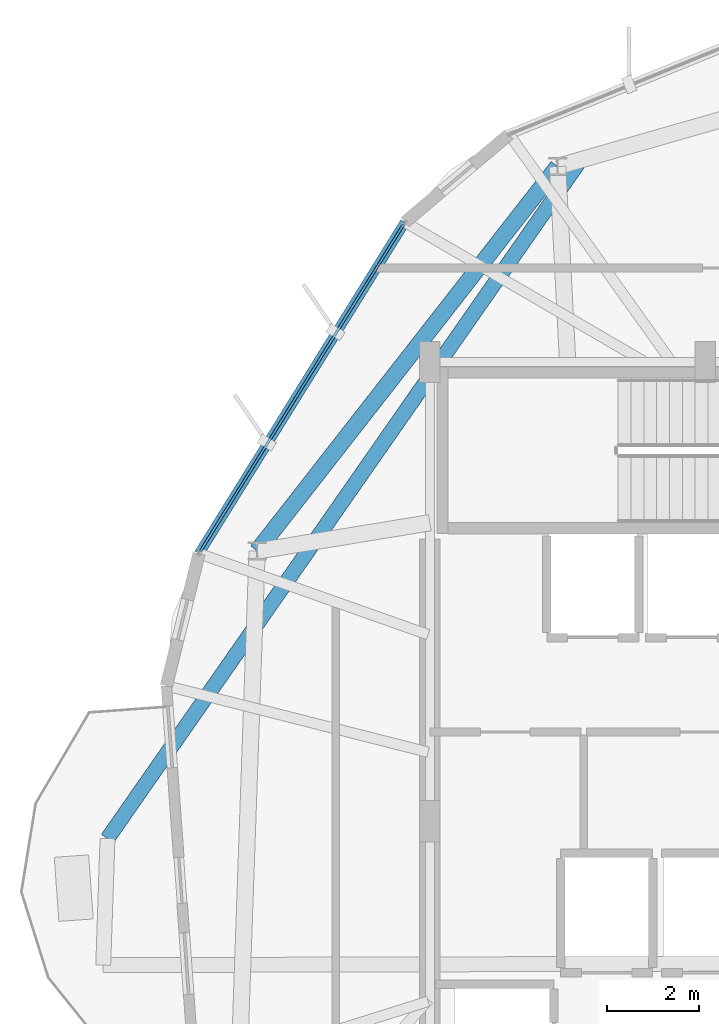
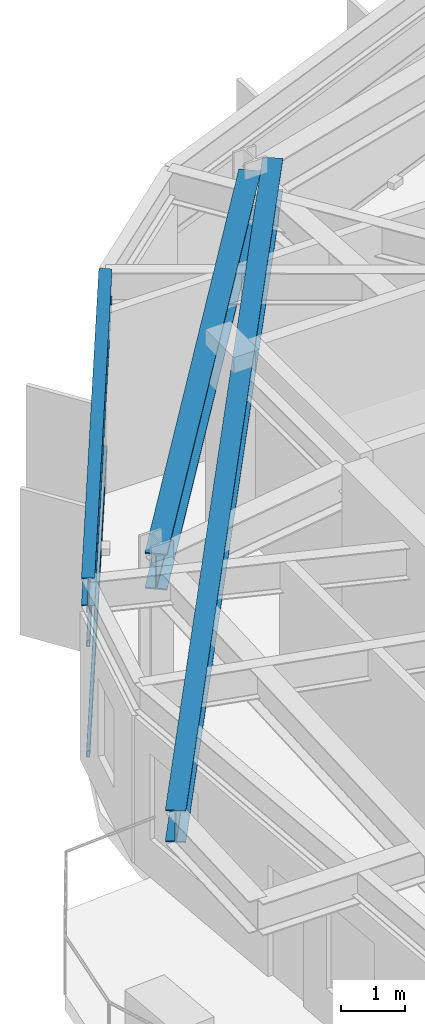
# One storey, part 9 of 26: 3 beams, 3 members, 1 element without a shape of its own.
"""IFC4 building model written with IfcOpenShell, lengths in metres."""

from ifc_helpers import new_model, si_unit, direction, frame, origin, origin_2d, place, context, subcontext, project, spatial, hollow_rectangle, i_section, extrude, material, layer, layer_set, material_profile, profile_set, type_object, element, aggregate, save


model = new_model("IFC4")

# Units and contexts
model_context = context("Model", 3, precision=1e-05, world=origin(), true_north=direction((0.0, 1.0)))
body_context = subcontext(model_context, "Body", "Model", "MODEL_VIEW")
ifc_project = project(units=[si_unit("LENGTHUNIT", "METRE"), si_unit("AREAUNIT", "SQUARE_METRE"), si_unit("VOLUMEUNIT", "CUBIC_METRE"), si_unit("PLANEANGLEUNIT", "RADIAN"), si_unit("MASSUNIT", "GRAM", prefix="KILO")], contexts=[model_context])

# Site, building, storey
site_placement = place(None, origin())
site = spatial("IfcSite", under=ifc_project, at=site_placement, CompositionType="ELEMENT")
building_placement = place(site_placement, origin())
building = spatial("IfcBuilding", under=site, at=building_placement, Name="Soratama Intermodal Tower", CompositionType="ELEMENT")
storey_placement = place(building_placement, frame((0.0, 0.0, 246.25)))
storey = spatial("IfcBuildingStorey", under=building, at=storey_placement, Name="L62", CompositionType="ELEMENT", Elevation=246.25)

# Beams
ifc_material_1 = material(Name="Structural steel ASTM A992 Grade 50", Category="steel")
ifc_material_profile_1 = material_profile(ifc_material_1, i_section(OverallWidth=0.324951171875, OverallDepth=0.615966796875, WebThickness=0.013916015625, FlangeThickness=0.021484375, FilletRadius=0.013916015625, at=origin_2d()), Name="W24X117")
ifc_profile_set_1 = profile_set([ifc_material_profile_1], Name="Structural steel ASTM A992 Grade 50")
beam_type_1 = type_object("IfcBeamType", Name="BM-CANT-W24X117", PredefinedType="BEAM", material=ifc_profile_set_1)
beam_1_placement = place(storey_placement, frame((35.860107421875, 39.3701171875, 3.14208984375), z_axis=(-0.571864663203, -0.820347979202, 0.0), x_axis=(0.820347979202, -0.571864663203, 0.0)))
element("IfcBeam", 1, at=beam_1_placement, inside=storey, type_object=beam_type_1, Name="BM-L62-CANT-3-1", PredefinedType="BEAM", context=body_context, shape_type="SweptSolid", body=[
    extrude(i_section(OverallWidth=0.324951171875, OverallDepth=0.615966796875, WebThickness=0.013916015625, FlangeThickness=0.021484375, FilletRadius=0.013916015625, at=origin_2d()), origin(), (0.0, 0.0, 1.0), 17.980224609375),
])
ifc_material_2 = material(Name="Structural steel ASTM A992 Grade 50", Category="steel")
ifc_material_profile_2 = material_profile(ifc_material_2, i_section(OverallWidth=0.35498046875, OverallDepth=0.695068359375, WebThickness=0.015380859375, FlangeThickness=0.02490234375, FilletRadius=0.01611328125, at=origin_2d()), Name="W27X146")
ifc_profile_set_2 = profile_set([ifc_material_profile_2], Name="Structural steel ASTM A992 Grade 50")
beam_type_2 = type_object("IfcBeamType", Name="BM-RING-W27X146", PredefinedType="BEAM", material=ifc_profile_set_2)
beam_2_placement = place(storey_placement, frame((35.382080078125, 39.259033203125, 3.1025390625), z_axis=(-0.6157278291, -0.787958907858, 0.0), x_axis=(0.787958907858, -0.6157278291, 0.0)))
element("IfcBeam", 2, at=beam_2_placement, inside=storey, type_object=beam_type_2, Name="BM-L62-RING-04", PredefinedType="BEAM", context=body_context, shape_type="SweptSolid", body=[
    extrude(i_section(OverallWidth=0.35498046875, OverallDepth=0.695068359375, WebThickness=0.015380859375, FlangeThickness=0.02490234375, FilletRadius=0.01611328125, at=origin_2d()), origin(), (0.0, 0.0, 1.0), 10.6298828125),
])
ifc_material_3 = material(Name="Structural steel ASTM A992 Grade 50", Category="steel")
ifc_material_profile_3 = material_profile(ifc_material_3, i_section(OverallWidth=0.2099609375, OverallDepth=0.537109375, WebThickness=0.010986328125, FlangeThickness=0.017333984375, FilletRadius=0.012939453125, at=origin_2d()), Name="W21X68")
ifc_profile_set_3 = profile_set([ifc_material_profile_3], Name="Structural steel ASTM A992 Grade 50")
beam_type_3 = type_object("IfcBeamType", Name="BM-SPN-W21X68", PredefinedType="SPANDREL", material=ifc_profile_set_3)
beam_3_placement = place(storey_placement, frame((32.056884765625, 38.047119140625, 3.181396484375), z_axis=(-0.527781803792, -0.849379990102, 0.0), x_axis=(0.849379990102, -0.527781803792, 0.0)))
element("IfcBeam", 3, at=beam_3_placement, inside=storey, type_object=beam_type_3, Name="BS-L62-F03", PredefinedType="SPANDREL", context=body_context, shape_type="SweptSolid", body=[
    extrude(i_section(OverallWidth=0.2099609375, OverallDepth=0.537109375, WebThickness=0.010986328125, FlangeThickness=0.017333984375, FilletRadius=0.012939453125, at=origin_2d()), origin(), (0.0, 0.0, 1.0), 8.49951171875),
])

# Curtain wall, members
ifc_material_4 = material(Name="Double-glazed aluminium curtain wall", Category="aluminium")
ifc_layer = layer(ifc_material_4, 0.159912109375)
ifc_layer_set = layer_set([ifc_layer], Name="Double-glazed aluminium curtain wall")
curtain_wall_type = type_object("IfcCurtainWallType", Name="CW-SYS-5", PredefinedType="NOTDEFINED", material=ifc_layer_set)
curtain_wall_placement = place(storey_placement, origin())
curtain_wall = element("IfcCurtainWall", 4, at=curtain_wall_placement, inside=storey, type_object=curtain_wall_type, Name="L62 Faceted Curtain Wall F03", PredefinedType="NOTDEFINED")
ifc_material_5 = material(Name="Anodised aluminium AA 6063-T6", Category="aluminium")
ifc_material_profile_4 = material_profile(ifc_material_5, hollow_rectangle(XDim=0.06005859375, YDim=0.1298828125, WallThickness=0.0048828125, InnerFilletRadius=0.0048828125, OuterFilletRadius=0.010009765625, at=origin_2d()), Name="CWT130X60X5")
ifc_profile_set_4 = profile_set([ifc_material_profile_4], Name="Anodised aluminium AA 6063-T6")
member_type = type_object("IfcMemberType", Name="TT-CWT-2", PredefinedType="USERDEFINED", material=ifc_profile_set_4)
member_1_placement = place(storey_placement, frame((32.025634765625, 37.996337890625, 0.030029296875), z_axis=(-0.527860284926, -0.849331219018, 0.0), x_axis=(0.849331219018, -0.527860284926, 0.0)))
member_1 = element("IfcMember", 5, at=member_1_placement, type_object=member_type, Name="CW-5 transom 1.1", ObjectType="TRANSOM", PredefinedType="USERDEFINED", context=body_context, shape_type="SweptSolid", body=[
    extrude(hollow_rectangle(XDim=0.06005859375, YDim=0.1298828125, WallThickness=0.0048828125, InnerFilletRadius=0.0048828125, OuterFilletRadius=0.010009765625, at=origin_2d()), origin(), (0.0, 0.0, 1.0), 8.379638671875),
])
member_2_placement = place(storey_placement, frame((32.025634765625, 37.996337890625, 2.14990234375), z_axis=(-0.527860284926, -0.849331219018, 0.0), x_axis=(0.849331219018, -0.527860284926, 0.0)))
member_2 = element("IfcMember", 6, at=member_2_placement, type_object=member_type, Name="CW-5 transom 1.2", ObjectType="TRANSOM", PredefinedType="USERDEFINED", context=body_context, shape_type="SweptSolid", body=[
    extrude(hollow_rectangle(XDim=0.06005859375, YDim=0.1298828125, WallThickness=0.0048828125, InnerFilletRadius=0.0048828125, OuterFilletRadius=0.010009765625, at=origin_2d()), origin(), (0.0, 0.0, 1.0), 8.379638671875),
])
member_3_placement = place(storey_placement, frame((32.025634765625, 37.996337890625, 2.799072265625), z_axis=(-0.527860284926, -0.849331219018, 0.0), x_axis=(0.849331219018, -0.527860284926, 0.0)))
member_3 = element("IfcMember", 7, at=member_3_placement, type_object=member_type, Name="CW-5 transom 1.3", ObjectType="TRANSOM", PredefinedType="USERDEFINED", context=body_context, shape_type="SweptSolid", body=[
    extrude(hollow_rectangle(XDim=0.06005859375, YDim=0.1298828125, WallThickness=0.0048828125, InnerFilletRadius=0.0048828125, OuterFilletRadius=0.010009765625, at=origin_2d()), origin(), (0.0, 0.0, 1.0), 8.379638671875),
])
aggregate(curtain_wall, [member_1, member_2, member_3])

save(model, "model.ifc")
